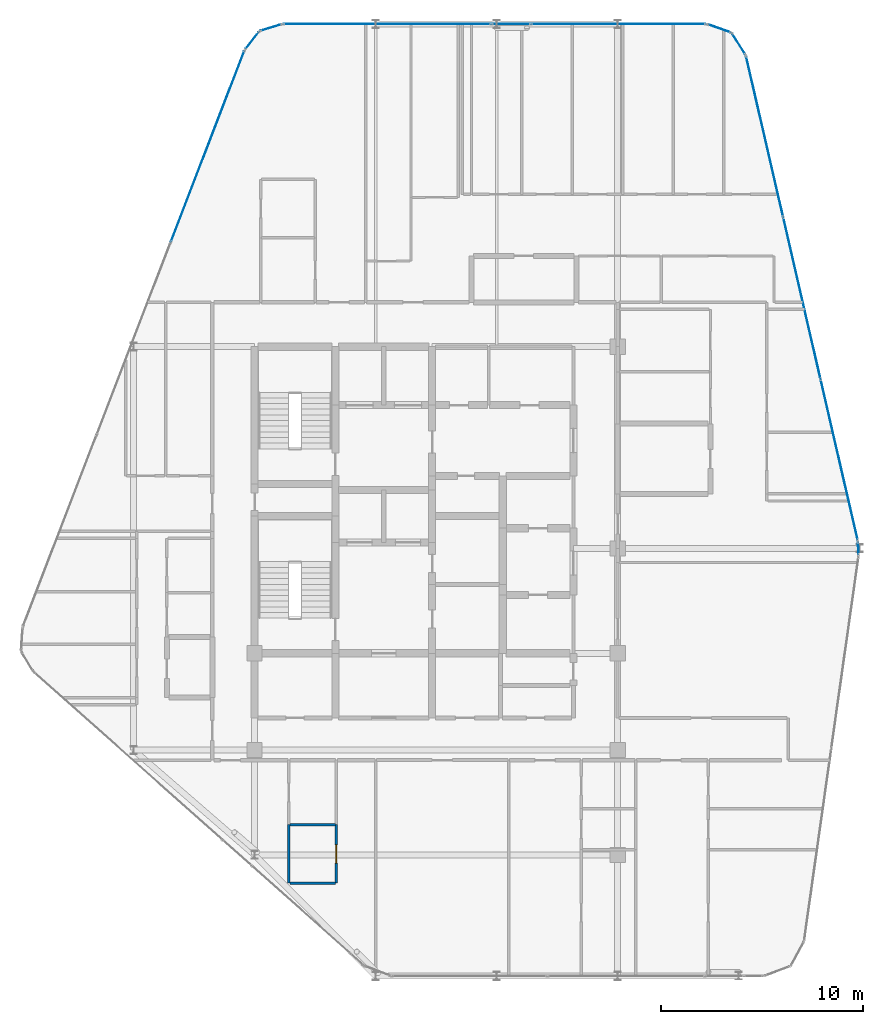
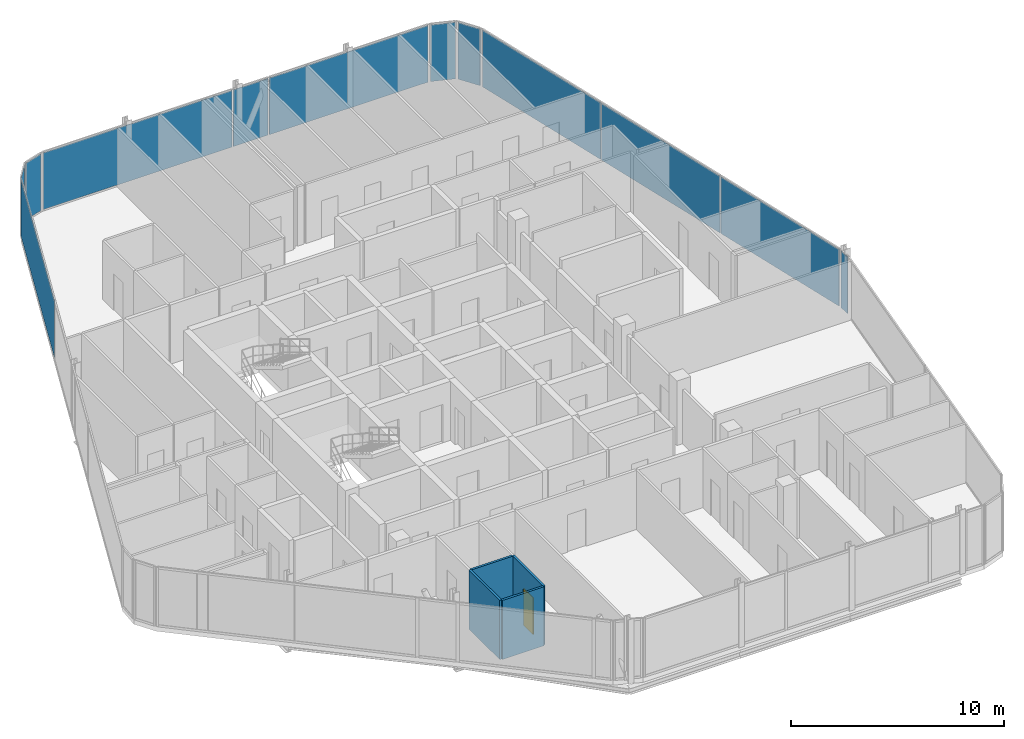
# One storey, part 24 of 31: 12 plates, 4 walls, 1 door, 1 opening, 10 elements without a shape of their own.
"""IFC4 building model written with IfcOpenShell, lengths in metres."""

import ifcopenshell
import ifcopenshell.guid

model = None  # the IFC model being written
_history = None  # IfcOwnerHistory: only IFC2X3 demands one
_inside = {}  # id of a spatial element -> (the spatial element, [elements in it])
_under = {}  # id of a project, library or spatial element -> (it, [spatial elements below it])
_declared = {}  # id of a project -> (the project, [libraries it declares])
_typed = {}  # id of a type object -> (the type object, [elements of that type])
_made_of = {}  # id of a material, layer set ... -> (it, [elements and type objects made of it])


def new_model(schema):
    """Start an empty IFC model of exactly this schema.

    Asked for "IFC4X3", IfcOpenShell would pick the latest addendum, in which some entities
    have other attributes; the version numbers below select the first issue.
    IFC2X3 requires an IfcOwnerHistory on every rooted entity: one is made here for all.
    """
    global model, _history
    if schema == "IFC4X3":
        model = ifcopenshell.file(schema_version=(4, 3, 0, 0))
    else:
        model = ifcopenshell.file(schema=schema)
    _inside.clear()
    _under.clear()
    _declared.clear()
    _typed.clear()
    _made_of.clear()
    _history = None
    if model.schema == "IFC2X3":
        org = make("IfcOrganization", Name="unknown")
        user = make(
            "IfcPersonAndOrganization",
            ThePerson=make("IfcPerson", FamilyName="unknown"),
            TheOrganization=org,
        )
        app = make(
            "IfcApplication",
            ApplicationDeveloper=org,
            Version="unknown",
            ApplicationFullName="unknown",
            ApplicationIdentifier="unknown",
        )
        _history = make(
            "IfcOwnerHistory",
            OwningUser=user,
            OwningApplication=app,
            ChangeAction="ADDED",
            CreationDate=0,
        )
    return model


def make(cls, **values):
    """One entity of the class cls with the attributes given. An attribute that is None is left unset."""
    return model.create_entity(
        cls, **{name: value for name, value in values.items() if value is not None}
    )


def rooted(cls, **values):
    """An entity with a GlobalId (a new one), such as an element, a storey or a relation."""
    return make(cls, GlobalId=ifcopenshell.guid.new(), OwnerHistory=_history, **values)


def si_unit(unit_type, name, prefix=None):
    """IfcSIUnit, for example si_unit("LENGTHUNIT", "METRE", prefix="MILLI")."""
    return make("IfcSIUnit", UnitType=unit_type, Prefix=prefix, Name=name)


def assignment(units):
    """IfcUnitAssignment: the units of a project."""
    return None if units is None else make("IfcUnitAssignment", Units=units)


def point(xyz):
    """IfcCartesianPoint."""
    return None if xyz is None else make("IfcCartesianPoint", Coordinates=xyz)


def direction(xyz):
    """IfcDirection."""
    return None if xyz is None else make("IfcDirection", DirectionRatios=xyz)


def frame(location, z_axis=None, x_axis=None):
    """IfcAxis2Placement3D, a coordinate frame: its origin and axes. An axis left out is left unset."""
    return make(
        "IfcAxis2Placement3D",
        Location=point(location),
        Axis=direction(z_axis),
        RefDirection=direction(x_axis),
    )


def frame_2d(location, x_axis=None):
    """IfcAxis2Placement2D, a coordinate frame in the plane: its origin and x axis."""
    return make(
        "IfcAxis2Placement2D", Location=point(location), RefDirection=direction(x_axis)
    )


def origin():
    """The frame at (0, 0, 0) with its axes left unset."""
    return frame((0.0, 0.0, 0.0))


def origin_2d():
    """The frame at (0, 0) in the plane with its x axis left unset."""
    return frame_2d((0.0, 0.0))


def place(relative_to, where):
    """IfcLocalPlacement: puts the frame where relative to a parent placement (None: the world)."""
    return make(
        "IfcLocalPlacement", PlacementRelTo=relative_to, RelativePlacement=where
    )


def context(
    kind, dimensions, precision=None, world=None, true_north=None, identifier=None
):
    """IfcGeometricRepresentationContext, for example the 3D "Model" context."""
    return make(
        "IfcGeometricRepresentationContext",
        ContextIdentifier=identifier,
        ContextType=kind,
        CoordinateSpaceDimension=dimensions,
        Precision=precision,
        WorldCoordinateSystem=world,
        TrueNorth=true_north,
    )


def subcontext(parent, identifier, kind, view, scale=None):
    """IfcGeometricRepresentationSubContext, for example "Body" below "Model"."""
    return make(
        "IfcGeometricRepresentationSubContext",
        ContextIdentifier=identifier,
        ContextType=kind,
        ParentContext=parent,
        TargetScale=scale,
        TargetView=view,
    )


def project(units=None, contexts=None):
    """IfcProject with its units and contexts."""
    return rooted(
        "IfcProject",
        Name="project",
        RepresentationContexts=contexts,
        UnitsInContext=assignment(units),
    )


def spatial(cls, under=None, at=None, **own):
    """A site, building, storey or space (cls), placed at a placement, below another one or the project."""
    s = rooted(cls, ObjectPlacement=at, **own)
    if under is not None:
        _under.setdefault(under.id(), (under, []))[1].append(s)
    return s


def profile(cls, at=None, kind="AREA", **sizes):
    """A parametric profile (cls). Its sizes go by their IFC names, for example OverallWidth=200.0."""
    return make(cls, ProfileType=kind, Position=at, **sizes)


def rectangle(**sizes):
    """IfcRectangleProfileDef."""
    return profile("IfcRectangleProfileDef", **sizes)


def extrude(swept, where, along, depth):
    """IfcExtrudedAreaSolid: the profile swept, set in the frame where, extruded along a direction by depth."""
    return make(
        "IfcExtrudedAreaSolid",
        SweptArea=swept,
        Position=where,
        ExtrudedDirection=direction(along),
        Depth=depth,
    )


def shape(context_of_items, identifier, shape_type, items):
    """IfcShapeRepresentation: the items that make up one representation, for example the "Body"."""
    return make(
        "IfcShapeRepresentation",
        ContextOfItems=context_of_items,
        RepresentationIdentifier=identifier,
        RepresentationType=shape_type,
        Items=items,
    )


def material(Name=None, Category=None):
    """IfcMaterial."""
    return make("IfcMaterial", Name=Name, Category=Category)


def layer(
    of_material, thickness, ventilated=None, Name=None, Category=None, Priority=None
):
    """IfcMaterialLayer: one layer of a wall or slab, of a material (None: an air gap)."""
    return make(
        "IfcMaterialLayer",
        Material=of_material,
        LayerThickness=thickness,
        IsVentilated=ventilated,
        Name=Name,
        Category=Category,
        Priority=Priority,
    )


def layer_set(layers, Name=None):
    """IfcMaterialLayerSet."""
    return make("IfcMaterialLayerSet", MaterialLayers=layers, LayerSetName=Name)


def made_of(thing, what):
    """Note that an element or type object is made of a material, layer set ...; save() writes the relation."""
    if what is not None:
        _made_of.setdefault(what.id(), (what, []))[1].append(thing)
    return thing


def type_object(cls, material=None, **own):
    """A type object (cls), such as IfcWallType, which elements share."""
    return made_of(rooted(cls, **own), material)


def element(
    cls,
    number,
    at=None,
    inside=None,
    cuts=None,
    type_object=None,
    material=None,
    context=None,
    identifier="Body",
    shape_type=None,
    held_by="IfcProductDefinitionShape",
    body=None,
    shapes=None,
    **own,
):
    """One element of the class cls, such as IfcWall. Its Tag is "e" and its number.

    at: its placement. inside: the storey or other place that contains it. cuts: it is an
    opening in that element (IfcRelVoidsElement). A single representation is given by context,
    identifier, shape_type and body (its items); several are given by shapes. held_by: the class
    of the entity that holds the representations. save() writes the other relations.
    """
    e = rooted(cls, Tag="e%d" % number, ObjectPlacement=at, **own)
    if body is not None:
        shapes = [shape(context, identifier, shape_type, body)]
    if shapes is not None:
        e.Representation = make(held_by, Representations=shapes)
    if inside is not None:
        _inside.setdefault(inside.id(), (inside, []))[1].append(e)
    if cuts is not None:
        rooted(
            "IfcRelVoidsElement", RelatingBuildingElement=cuts, RelatedOpeningElement=e
        )
    if type_object is not None:
        _typed.setdefault(type_object.id(), (type_object, []))[1].append(e)
    return made_of(e, material)


def fill(opening, filler):
    """IfcRelFillsElement: the door or window that sits in an opening."""
    return rooted(
        "IfcRelFillsElement",
        RelatingOpeningElement=opening,
        RelatedBuildingElement=filler,
    )


def aggregate(whole, parts):
    """IfcRelAggregates: a whole, such as a stair, and the parts it consists of."""
    return rooted("IfcRelAggregates", RelatingObject=whole, RelatedObjects=parts)


def save(model, path):
    """Write the relations noted so far, then the file.

    IfcRelAggregates (storeys below a building ...), IfcRelContainedInSpatialStructure (elements
    in a storey), IfcRelDefinesByType, IfcRelAssociatesMaterial and IfcRelDeclares: one each for
    every whole, place, type object, material and project.
    """
    for whole, parts in _under.values():
        aggregate(whole, parts)
    for where, things in _inside.values():
        rooted(
            "IfcRelContainedInSpatialStructure",
            RelatedElements=things,
            RelatingStructure=where,
        )
    for kind, things in _typed.values():
        rooted("IfcRelDefinesByType", RelatedObjects=things, RelatingType=kind)
    for what, things in _made_of.values():
        rooted("IfcRelAssociatesMaterial", RelatedObjects=things, RelatingMaterial=what)
    for by, libraries in _declared.values():
        rooted("IfcRelDeclares", RelatingContext=by, RelatedDefinitions=libraries)
    model.write(path)


model = new_model("IFC4")

# Units and contexts
model_context = context("Model", 3, precision=1e-05, world=origin(), true_north=direction((0.0, 1.0)))
body_context = subcontext(model_context, "Body", "Model", "MODEL_VIEW")
ifc_project = project(units=[si_unit("LENGTHUNIT", "METRE"), si_unit("AREAUNIT", "SQUARE_METRE"), si_unit("VOLUMEUNIT", "CUBIC_METRE"), si_unit("PLANEANGLEUNIT", "RADIAN"), si_unit("MASSUNIT", "GRAM", prefix="KILO")], contexts=[model_context])

# Site, building, storey
site_placement = place(None, origin())
site = spatial("IfcSite", under=ifc_project, at=site_placement, CompositionType="ELEMENT")
building_placement = place(site_placement, origin())
building = spatial("IfcBuilding", under=site, at=building_placement, Name="Keshet Zoharim Tower", CompositionType="ELEMENT")
storey_placement = place(building_placement, frame((0.0, 0.0, 276.89990234375)))
storey = spatial("IfcBuildingStorey", under=building, at=storey_placement, Name="L69", CompositionType="ELEMENT", Elevation=276.89990234375)

# Curtain wall, plate
ifc_material_1 = material(Name="Aluminium 6063-T6", Category="aluminium")
ifc_layer_1 = layer(ifc_material_1, 0.260009765625)
ifc_layer_set_1 = layer_set([ifc_layer_1], Name="Aluminium 6063-T6")
curtain_wall_type = type_object("IfcCurtainWallType", Name="CW-SYS-06", PredefinedType="NOTDEFINED", material=ifc_layer_set_1)
curtain_wall_1_placement = place(storey_placement, origin())
curtain_wall_1 = element("IfcCurtainWall", 1, at=curtain_wall_1_placement, inside=storey, type_object=curtain_wall_type, Name="L69 Unitised Curtain Wall 03", PredefinedType="NOTDEFINED")
ifc_material_2 = material(Name="Insulated Low-E Clear Glass", Category="glass")
ifc_layer_2 = layer(ifc_material_2, 0.028076171875)
ifc_layer_set_2 = layer_set([ifc_layer_2], Name="Insulated Low-E Clear Glass")
plate_type_1 = type_object("IfcPlateType", Name="CWP-03", PredefinedType="CURTAIN_PANEL", material=ifc_layer_set_2)
plate_1_placement = place(storey_placement, frame((12.665771484375, 47.830810546875, 0.070068359375), z_axis=(0.0, 0.0, 1.0), x_axis=(0.358990003907, 0.933341404361, 0.0)))
plate_1 = element("IfcPlate", 2, at=plate_1_placement, type_object=plate_type_1, Name="CW-06 panel 3.1", PredefinedType="CURTAIN_PANEL", context=body_context, shape_type="SweptSolid", body=[
    extrude(rectangle(XDim=10.1181640625, YDim=0.028076171875, at=origin_2d()), origin(), (0.0, 0.0, 1.0), 3.25),
])
aggregate(curtain_wall_1, [plate_1])

curtain_wall_2_placement = place(storey_placement, origin())
curtain_wall_2 = element("IfcCurtainWall", 3, at=curtain_wall_2_placement, inside=storey, type_object=curtain_wall_type, Name="L69 Unitised Curtain Wall 04", PredefinedType="NOTDEFINED")
plate_2_placement = place(storey_placement, frame((14.8740234375, 53.08349609375, 0.070068359375), z_axis=(0.0, 0.0, 1.0), x_axis=(0.619124525989, 0.785292825205, 0.0)))
plate_2 = element("IfcPlate", 4, at=plate_2_placement, type_object=plate_type_1, Name="CW-06 panel 1.1", PredefinedType="CURTAIN_PANEL", context=body_context, shape_type="SweptSolid", body=[
    extrude(rectangle(XDim=1.045654296875, YDim=0.028076171875, at=origin_2d()), origin(), (0.0, 0.0, 1.0), 3.25),
])
aggregate(curtain_wall_2, [plate_2])

curtain_wall_3_placement = place(storey_placement, origin())
curtain_wall_3 = element("IfcCurtainWall", 5, at=curtain_wall_3_placement, inside=storey, type_object=curtain_wall_type, Name="L69 Unitised Curtain Wall 05", PredefinedType="NOTDEFINED")
plate_3_placement = place(storey_placement, frame((15.8076171875, 53.724609375, 0.070068359375), z_axis=(0.0, 0.0, 1.0), x_axis=(0.955212151288, 0.295921857984, 0.0)))
plate_3 = element("IfcPlate", 6, at=plate_3_placement, type_object=plate_type_1, Name="CW-06 panel 1.1", PredefinedType="CURTAIN_PANEL", context=body_context, shape_type="SweptSolid", body=[
    extrude(rectangle(XDim=1.046142578125, YDim=0.028076171875, at=origin_2d()), origin(), (0.0, 0.0, 1.0), 3.25),
])
aggregate(curtain_wall_3, [plate_3])

curtain_wall_4_placement = place(storey_placement, origin())
curtain_wall_4 = element("IfcCurtainWall", 7, at=curtain_wall_4_placement, inside=storey, type_object=curtain_wall_type, Name="L69 Unitised Curtain Wall 06", PredefinedType="NOTDEFINED")
plate_4_placement = place(storey_placement, frame((21.57470703125, 53.89990234375, 0.070068359375), z_axis=(0.0, 0.0, 1.0), x_axis=(1.0, 0.0, 0.0)))
plate_4 = element("IfcPlate", 8, at=plate_4_placement, type_object=plate_type_1, Name="CW-06 panel 1.1", PredefinedType="CURTAIN_PANEL", context=body_context, shape_type="SweptSolid", body=[
    extrude(rectangle(XDim=10.26123046875, YDim=0.028076171875, at=origin_2d()), origin(), (0.0, 0.0, 1.0), 3.25),
])
aggregate(curtain_wall_4, [plate_4])

curtain_wall_5_placement = place(storey_placement, origin())
curtain_wall_5 = element("IfcCurtainWall", 9, at=curtain_wall_5_placement, inside=storey, type_object=curtain_wall_type, Name="L69 Unitised Curtain Wall 06 Part 3", PredefinedType="NOTDEFINED")
plate_5_placement = place(storey_placement, frame((33.031982421875, 53.89990234375, 0.070068359375), z_axis=(0.0, 0.0, 1.0), x_axis=(1.0, 0.0, 0.0)))
plate_5 = element("IfcPlate", 10, at=plate_5_placement, type_object=plate_type_1, Name="CW-06 panel 1.1", PredefinedType="CURTAIN_PANEL", context=body_context, shape_type="SweptSolid", body=[
    extrude(rectangle(XDim=8.6142578125, YDim=0.028076171875, at=origin_2d()), origin(), (0.0, 0.0, 1.0), 3.25),
])
aggregate(curtain_wall_5, [plate_5])

curtain_wall_6_placement = place(storey_placement, origin())
curtain_wall_6 = element("IfcCurtainWall", 11, at=curtain_wall_6_placement, inside=storey, type_object=curtain_wall_type, Name="L69 Unitised Curtain Wall 07", PredefinedType="NOTDEFINED")
plate_6_placement = place(storey_placement, frame((38.031494140625, 53.6826171875, 0.070068359375), z_axis=(0.0, 0.0, 1.0), x_axis=(0.944035542119, -0.329843743636, 0.0)))
plate_6 = element("IfcPlate", 12, at=plate_6_placement, type_object=plate_type_1, Name="CW-06 panel 1.1", PredefinedType="CURTAIN_PANEL", context=body_context, shape_type="SweptSolid", body=[
    extrude(rectangle(XDim=1.1787109375, YDim=0.028076171875, at=origin_2d()), origin(), (0.0, 0.0, 1.0), 3.25),
])
aggregate(curtain_wall_6, [plate_6])

curtain_wall_7_placement = place(storey_placement, origin())
curtain_wall_7 = element("IfcCurtainWall", 13, at=curtain_wall_7_placement, inside=storey, type_object=curtain_wall_type, Name="L69 Unitised Curtain Wall 08", PredefinedType="NOTDEFINED")
plate_7_placement = place(storey_placement, frame((39.006103515625, 52.907470703125, 0.070068359375), z_axis=(0.0, 0.0, 1.0), x_axis=(0.533878858502, -0.845560976183, 0.0)))
plate_7 = element("IfcPlate", 14, at=plate_7_placement, type_object=plate_type_1, Name="CW-06 panel 1.1", PredefinedType="CURTAIN_PANEL", context=body_context, shape_type="SweptSolid", body=[
    extrude(rectangle(XDim=1.1787109375, YDim=0.028076171875, at=origin_2d()), origin(), (0.0, 0.0, 1.0), 3.25),
])
aggregate(curtain_wall_7, [plate_7])

# Curtain wall, plates
curtain_wall_8_placement = place(storey_placement, origin())
curtain_wall_8 = element("IfcCurtainWall", 15, at=curtain_wall_8_placement, inside=storey, type_object=curtain_wall_type, Name="L69 Unitised Curtain Wall 09", PredefinedType="NOTDEFINED")
plate_8_placement = place(storey_placement, frame((40.288330078125, 48.318359375, 0.070068359375), z_axis=(0.0, 0.0, 1.0), x_axis=(0.224829963294, -0.974398012932, 0.0)))
plate_8 = element("IfcPlate", 16, at=plate_8_placement, type_object=plate_type_1, Name="CW-06 panel 1.1", PredefinedType="CURTAIN_PANEL", context=body_context, shape_type="SweptSolid", body=[
    extrude(rectangle(XDim=8.13525390625, YDim=0.028076171875, at=origin_2d()), origin(), (0.0, 0.0, 1.0), 3.25),
])
plate_9_placement = place(storey_placement, frame((42.136962890625, 40.305908203125, 0.070068359375), z_axis=(0.0, 0.0, 1.0), x_axis=(0.224829963294, -0.974398012932, 0.0)))
plate_9 = element("IfcPlate", 17, at=plate_9_placement, type_object=plate_type_1, Name="CW-06 panel 2.1", PredefinedType="CURTAIN_PANEL", context=body_context, shape_type="SweptSolid", body=[
    extrude(rectangle(XDim=8.17041015625, YDim=0.028076171875, at=origin_2d()), origin(), (0.0, 0.0, 1.0), 3.25),
])
plate_10_placement = place(storey_placement, frame((43.98583984375, 32.293701171875, 0.070068359375), z_axis=(0.0, 0.0, 1.0), x_axis=(0.224829963294, -0.974398012932, 0.0)))
plate_10 = element("IfcPlate", 18, at=plate_10_placement, type_object=plate_type_1, Name="CW-06 panel 3.1", PredefinedType="CURTAIN_PANEL", context=body_context, shape_type="SweptSolid", body=[
    extrude(rectangle(XDim=8.13525390625, YDim=0.028076171875, at=origin_2d()), origin(), (0.0, 0.0, 1.0), 3.25),
])
aggregate(curtain_wall_8, [plate_8, plate_9, plate_10])

# Curtain wall, plate
curtain_wall_9_placement = place(storey_placement, origin())
curtain_wall_9 = element("IfcCurtainWall", 19, at=curtain_wall_9_placement, inside=storey, type_object=curtain_wall_type, Name="L69 Unitised Curtain Wall 10", PredefinedType="NOTDEFINED")
plate_11_placement = place(storey_placement, frame((44.931884765625, 27.89697265625, 0.070068359375), z_axis=(0.0, 0.0, 1.0), x_axis=(0.043793560626, -0.999040601801, 0.0)))
plate_11 = element("IfcPlate", 20, at=plate_11_placement, type_object=plate_type_1, Name="CW-06 panel 1.1", PredefinedType="CURTAIN_PANEL", context=body_context, shape_type="SweptSolid", body=[
    extrude(rectangle(XDim=0.5908203125, YDim=0.028076171875, at=origin_2d()), origin(), (0.0, 0.0, 1.0), 3.25),
])
aggregate(curtain_wall_9, [plate_11])

curtain_wall_10_placement = place(storey_placement, origin())
curtain_wall_10 = element("IfcCurtainWall", 21, at=curtain_wall_10_placement, inside=storey, type_object=curtain_wall_type, Name="L69 Unitised Curtain Wall 06 Part 2", PredefinedType="NOTDEFINED")
ifc_material_3 = material(Name="Insulated Aluminium Spandrel Panel", Category="aluminium")
ifc_layer_3 = layer(ifc_material_3, 0.028076171875)
ifc_layer_set_3 = layer_set([ifc_layer_3], Name="Insulated Aluminium Spandrel Panel")
plate_type_2 = type_object("IfcPlateType", Name="CWP-06", PredefinedType="CURTAIN_PANEL", material=ifc_layer_set_3)
plate_12_placement = place(storey_placement, frame((27.715087890625, 53.89990234375, 0.070068359375), z_axis=(0.0, 0.0, 1.0), x_axis=(1.0, 0.0, 0.0)))
plate_12 = element("IfcPlate", 22, at=plate_12_placement, type_object=plate_type_2, Name="CW-06 spandrel panel 1.1", PredefinedType="CURTAIN_PANEL", context=body_context, shape_type="SweptSolid", body=[
    extrude(rectangle(XDim=1.879638671875, YDim=0.028076171875, at=origin_2d()), origin(), (0.0, 0.0, 1.0), 3.25),
])
aggregate(curtain_wall_10, [plate_12])

# Wall
ifc_material_4 = material(Name="Gypsum Plasterboard", Category="gypsum")
ifc_layer_4 = layer(ifc_material_4, 0.1201171875)
ifc_layer_set_4 = layer_set([ifc_layer_4], Name="Gypsum Plasterboard")
wall_type = type_object("IfcWallType", Name="WL-WET-120", PredefinedType="PARTITIONING", material=ifc_layer_set_4)
wall_1_placement = place(storey_placement, frame((16.699951171875, 11.300048828125, 0.0), z_axis=(0.0, 0.0, 1.0), x_axis=(0.0, 1.0, 0.0)))
element("IfcWall", 23, at=wall_1_placement, inside=storey, type_object=wall_type, Name="L69 Interior Wall 022", PredefinedType="PARTITIONING", context=body_context, shape_type="SweptSolid", body=[
    extrude(rectangle(XDim=2.89990234375, YDim=0.1201171875, at=frame_2d((1.449951171875, 0.0))), origin(), (0.0, 0.0, 1.0), 3.39013671875),
])

# Wall, opening, door
wall_2_placement = place(storey_placement, frame((19.050048828125, 11.300048828125, 0.0), z_axis=(0.0, 0.0, 1.0), x_axis=(0.0, 1.0, 0.0)))
wall_2 = element("IfcWall", 24, at=wall_2_placement, inside=storey, type_object=wall_type, Name="L69 Interior Wall 031", PredefinedType="PARTITIONING", context=body_context, shape_type="SweptSolid", body=[
    extrude(rectangle(XDim=2.89990234375, YDim=0.1201171875, at=frame_2d((1.449951171875, 0.0))), origin(), (0.0, 0.0, 1.0), 3.39013671875),
])
opening_placement = place(wall_2_placement, frame((1.0, 0.0, 0.0)))
opening = element("IfcOpeningElement", 25, at=opening_placement, cuts=wall_2, Name="Opening D-WT90", PredefinedType="OPENING", context=body_context, shape_type="SweptSolid", body=[
    extrude(rectangle(XDim=0.89990234375, YDim=2.10009765625, at=frame_2d((0.449951171875, 1.050048828125))), frame((0.0, 0.070068359375, 0.0), z_axis=(0.0, -1.0, 0.0), x_axis=(1.0, 0.0, 0.0)), (0.0, 0.0, 1.0), 0.14013671875),
])
ifc_material_5 = material(Name="Hardwood Timber", Category="wood")
door_type = type_object("IfcDoorType", Name="DR-WET-090", OperationType="NOTDEFINED", PredefinedType="DOOR", material=ifc_material_5)
door_placement = place(opening_placement, origin())
door = element("IfcDoor", 26, at=door_placement, inside=storey, type_object=door_type, Name="Apartment 6901 Bathroom Door", OperationType="SINGLE_SWING_RIGHT", OverallHeight=2.10009765625, OverallWidth=0.89990234375, PredefinedType="DOOR", context=body_context, shape_type="SweptSolid", body=[
    extrude(rectangle(XDim=0.89990234375, YDim=2.10009765625, at=frame_2d((0.449951171875, 1.050048828125))), frame((0.0, 0.02490234375, 0.0), z_axis=(0.0, -1.0, 0.0), x_axis=(1.0, 0.0, 0.0)), (0.0, 0.0, 1.0), 0.050048828125),
])
fill(opening, door)

# Walls
for number, where, z_axis, x_axis, name in (
    (27, (16.7451171875, 11.300048828125, 0.0), (0.0, 0.0, 1.0), (1.0, 0.0, 0.0), "L69 Interior Wall 096"),
    (28, (16.7451171875, 14.199951171875, 0.0), (0.0, 0.0, 1.0), (1.0, 0.0, 0.0), "L69 Interior Wall 099"),
):
    element("IfcWall", number, at=place(storey_placement, frame(where, z_axis=z_axis, x_axis=x_axis)), inside=storey, type_object=wall_type, Name=name, PredefinedType="PARTITIONING", context=body_context, shape_type="SweptSolid", body=[
        extrude(rectangle(XDim=2.259765625, YDim=0.1201171875, at=frame_2d((1.1298828125, 0.0))), origin(), (0.0, 0.0, 1.0), 3.39013671875),
    ])

save(model, "model.ifc")
